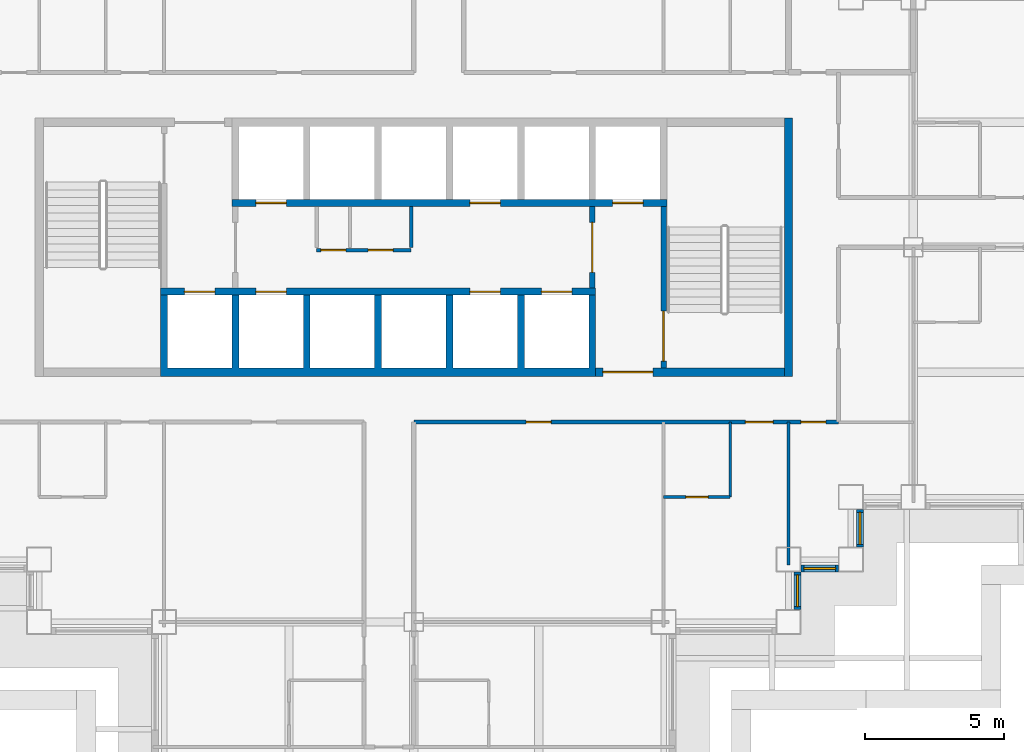
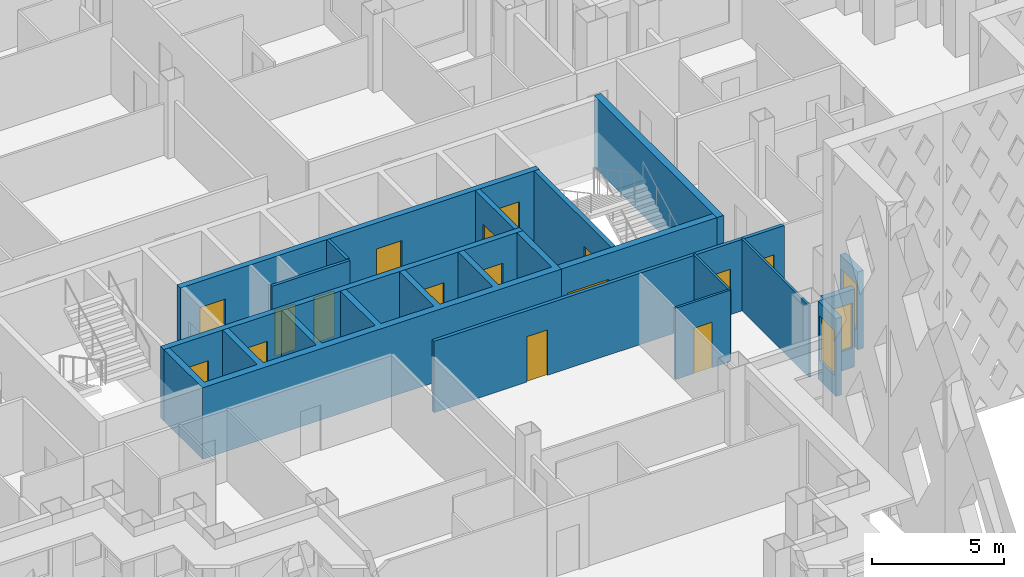
# One storey, part 5 of 21: 16 doors, 16 walls, 3 windows, 19 openings.
"""IFC4 building model written with IfcOpenShell, lengths in metres."""

import ifcopenshell
import ifcopenshell.guid

model = None  # the IFC model being written
_history = None  # IfcOwnerHistory: only IFC2X3 demands one
_inside = {}  # id of a spatial element -> (the spatial element, [elements in it])
_under = {}  # id of a project, library or spatial element -> (it, [spatial elements below it])
_declared = {}  # id of a project -> (the project, [libraries it declares])
_typed = {}  # id of a type object -> (the type object, [elements of that type])
_made_of = {}  # id of a material, layer set ... -> (it, [elements and type objects made of it])


def new_model(schema):
    """Start an empty IFC model of exactly this schema.

    Asked for "IFC4X3", IfcOpenShell would pick the latest addendum, in which some entities
    have other attributes; the version numbers below select the first issue.
    IFC2X3 requires an IfcOwnerHistory on every rooted entity: one is made here for all.
    """
    global model, _history
    if schema == "IFC4X3":
        model = ifcopenshell.file(schema_version=(4, 3, 0, 0))
    else:
        model = ifcopenshell.file(schema=schema)
    _inside.clear()
    _under.clear()
    _declared.clear()
    _typed.clear()
    _made_of.clear()
    _history = None
    if model.schema == "IFC2X3":
        org = make("IfcOrganization", Name="unknown")
        user = make(
            "IfcPersonAndOrganization",
            ThePerson=make("IfcPerson", FamilyName="unknown"),
            TheOrganization=org,
        )
        app = make(
            "IfcApplication",
            ApplicationDeveloper=org,
            Version="unknown",
            ApplicationFullName="unknown",
            ApplicationIdentifier="unknown",
        )
        _history = make(
            "IfcOwnerHistory",
            OwningUser=user,
            OwningApplication=app,
            ChangeAction="ADDED",
            CreationDate=0,
        )
    return model


def make(cls, **values):
    """One entity of the class cls with the attributes given. An attribute that is None is left unset."""
    return model.create_entity(
        cls, **{name: value for name, value in values.items() if value is not None}
    )


def rooted(cls, **values):
    """An entity with a GlobalId (a new one), such as an element, a storey or a relation."""
    return make(cls, GlobalId=ifcopenshell.guid.new(), OwnerHistory=_history, **values)


def si_unit(unit_type, name, prefix=None):
    """IfcSIUnit, for example si_unit("LENGTHUNIT", "METRE", prefix="MILLI")."""
    return make("IfcSIUnit", UnitType=unit_type, Prefix=prefix, Name=name)


def assignment(units):
    """IfcUnitAssignment: the units of a project."""
    return None if units is None else make("IfcUnitAssignment", Units=units)


def point(xyz):
    """IfcCartesianPoint."""
    return None if xyz is None else make("IfcCartesianPoint", Coordinates=xyz)


def direction(xyz):
    """IfcDirection."""
    return None if xyz is None else make("IfcDirection", DirectionRatios=xyz)


def frame(location, z_axis=None, x_axis=None):
    """IfcAxis2Placement3D, a coordinate frame: its origin and axes. An axis left out is left unset."""
    return make(
        "IfcAxis2Placement3D",
        Location=point(location),
        Axis=direction(z_axis),
        RefDirection=direction(x_axis),
    )


def frame_2d(location, x_axis=None):
    """IfcAxis2Placement2D, a coordinate frame in the plane: its origin and x axis."""
    return make(
        "IfcAxis2Placement2D", Location=point(location), RefDirection=direction(x_axis)
    )


def origin():
    """The frame at (0, 0, 0) with its axes left unset."""
    return frame((0.0, 0.0, 0.0))


def place(relative_to, where):
    """IfcLocalPlacement: puts the frame where relative to a parent placement (None: the world)."""
    return make(
        "IfcLocalPlacement", PlacementRelTo=relative_to, RelativePlacement=where
    )


def context(
    kind, dimensions, precision=None, world=None, true_north=None, identifier=None
):
    """IfcGeometricRepresentationContext, for example the 3D "Model" context."""
    return make(
        "IfcGeometricRepresentationContext",
        ContextIdentifier=identifier,
        ContextType=kind,
        CoordinateSpaceDimension=dimensions,
        Precision=precision,
        WorldCoordinateSystem=world,
        TrueNorth=true_north,
    )


def subcontext(parent, identifier, kind, view, scale=None):
    """IfcGeometricRepresentationSubContext, for example "Body" below "Model"."""
    return make(
        "IfcGeometricRepresentationSubContext",
        ContextIdentifier=identifier,
        ContextType=kind,
        ParentContext=parent,
        TargetScale=scale,
        TargetView=view,
    )


def project(units=None, contexts=None):
    """IfcProject with its units and contexts."""
    return rooted(
        "IfcProject",
        Name="project",
        RepresentationContexts=contexts,
        UnitsInContext=assignment(units),
    )


def spatial(cls, under=None, at=None, **own):
    """A site, building, storey or space (cls), placed at a placement, below another one or the project."""
    s = rooted(cls, ObjectPlacement=at, **own)
    if under is not None:
        _under.setdefault(under.id(), (under, []))[1].append(s)
    return s


def polyline(points):
    """IfcPolyline through the points."""
    return make("IfcPolyline", Points=[point(p) for p in points])


def profile(cls, at=None, kind="AREA", **sizes):
    """A parametric profile (cls). Its sizes go by their IFC names, for example OverallWidth=200.0."""
    return make(cls, ProfileType=kind, Position=at, **sizes)


def rectangle(**sizes):
    """IfcRectangleProfileDef."""
    return profile("IfcRectangleProfileDef", **sizes)


def outline(outer, holes=None, kind="AREA"):
    """IfcArbitraryClosedProfileDef: a profile drawn as a closed curve; with holes, ...WithVoids."""
    if holes is None:
        return make("IfcArbitraryClosedProfileDef", ProfileType=kind, OuterCurve=outer)
    return make(
        "IfcArbitraryProfileDefWithVoids",
        ProfileType=kind,
        OuterCurve=outer,
        InnerCurves=holes,
    )


def extrude(swept, where, along, depth):
    """IfcExtrudedAreaSolid: the profile swept, set in the frame where, extruded along a direction by depth."""
    return make(
        "IfcExtrudedAreaSolid",
        SweptArea=swept,
        Position=where,
        ExtrudedDirection=direction(along),
        Depth=depth,
    )


def shape(context_of_items, identifier, shape_type, items):
    """IfcShapeRepresentation: the items that make up one representation, for example the "Body"."""
    return make(
        "IfcShapeRepresentation",
        ContextOfItems=context_of_items,
        RepresentationIdentifier=identifier,
        RepresentationType=shape_type,
        Items=items,
    )


def material(Name=None, Category=None):
    """IfcMaterial."""
    return make("IfcMaterial", Name=Name, Category=Category)


def layer(
    of_material, thickness, ventilated=None, Name=None, Category=None, Priority=None
):
    """IfcMaterialLayer: one layer of a wall or slab, of a material (None: an air gap)."""
    return make(
        "IfcMaterialLayer",
        Material=of_material,
        LayerThickness=thickness,
        IsVentilated=ventilated,
        Name=Name,
        Category=Category,
        Priority=Priority,
    )


def layer_set(layers, Name=None):
    """IfcMaterialLayerSet."""
    return make("IfcMaterialLayerSet", MaterialLayers=layers, LayerSetName=Name)


def made_of(thing, what):
    """Note that an element or type object is made of a material, layer set ...; save() writes the relation."""
    if what is not None:
        _made_of.setdefault(what.id(), (what, []))[1].append(thing)
    return thing


def type_object(cls, material=None, **own):
    """A type object (cls), such as IfcWallType, which elements share."""
    return made_of(rooted(cls, **own), material)


def element(
    cls,
    number,
    at=None,
    inside=None,
    cuts=None,
    type_object=None,
    material=None,
    context=None,
    identifier="Body",
    shape_type=None,
    held_by="IfcProductDefinitionShape",
    body=None,
    shapes=None,
    **own,
):
    """One element of the class cls, such as IfcWall. Its Tag is "e" and its number.

    at: its placement. inside: the storey or other place that contains it. cuts: it is an
    opening in that element (IfcRelVoidsElement). A single representation is given by context,
    identifier, shape_type and body (its items); several are given by shapes. held_by: the class
    of the entity that holds the representations. save() writes the other relations.
    """
    e = rooted(cls, Tag="e%d" % number, ObjectPlacement=at, **own)
    if body is not None:
        shapes = [shape(context, identifier, shape_type, body)]
    if shapes is not None:
        e.Representation = make(held_by, Representations=shapes)
    if inside is not None:
        _inside.setdefault(inside.id(), (inside, []))[1].append(e)
    if cuts is not None:
        rooted(
            "IfcRelVoidsElement", RelatingBuildingElement=cuts, RelatedOpeningElement=e
        )
    if type_object is not None:
        _typed.setdefault(type_object.id(), (type_object, []))[1].append(e)
    return made_of(e, material)


def fill(opening, filler):
    """IfcRelFillsElement: the door or window that sits in an opening."""
    return rooted(
        "IfcRelFillsElement",
        RelatingOpeningElement=opening,
        RelatedBuildingElement=filler,
    )


def aggregate(whole, parts):
    """IfcRelAggregates: a whole, such as a stair, and the parts it consists of."""
    return rooted("IfcRelAggregates", RelatingObject=whole, RelatedObjects=parts)


def save(model, path):
    """Write the relations noted so far, then the file.

    IfcRelAggregates (storeys below a building ...), IfcRelContainedInSpatialStructure (elements
    in a storey), IfcRelDefinesByType, IfcRelAssociatesMaterial and IfcRelDeclares: one each for
    every whole, place, type object, material and project.
    """
    for whole, parts in _under.values():
        aggregate(whole, parts)
    for where, things in _inside.values():
        rooted(
            "IfcRelContainedInSpatialStructure",
            RelatedElements=things,
            RelatingStructure=where,
        )
    for kind, things in _typed.values():
        rooted("IfcRelDefinesByType", RelatedObjects=things, RelatingType=kind)
    for what, things in _made_of.values():
        rooted("IfcRelAssociatesMaterial", RelatedObjects=things, RelatingMaterial=what)
    for by, libraries in _declared.values():
        rooted("IfcRelDeclares", RelatingContext=by, RelatedDefinitions=libraries)
    model.write(path)


model = new_model("IFC4")

# Units and contexts
model_context = context("Model", 3, precision=1e-05, world=origin(), true_north=direction((0.0, 1.0)))
body_context = subcontext(model_context, "Body", "Model", "MODEL_VIEW")
ifc_project = project(units=[si_unit("LENGTHUNIT", "METRE"), si_unit("AREAUNIT", "SQUARE_METRE"), si_unit("VOLUMEUNIT", "CUBIC_METRE"), si_unit("PLANEANGLEUNIT", "RADIAN"), si_unit("MASSUNIT", "GRAM", prefix="KILO")], contexts=[model_context])

# Site, building, storey
site_placement = place(None, origin())
site = spatial("IfcSite", under=ifc_project, at=site_placement, CompositionType="ELEMENT")
building_placement = place(site_placement, origin())
building = spatial("IfcBuilding", under=site, at=building_placement, Name="Caravel Reach Hotel and Residences", CompositionType="ELEMENT")
storey_placement = place(building_placement, frame((0.0, 0.0, 115.199951171875)))
storey = spatial("IfcBuildingStorey", under=building, at=storey_placement, Name="L28", CompositionType="ELEMENT", Elevation=115.199951171875)

# Wall, opening, door
ifc_material_1 = material(Name="Gypsum board on steel stud", Category="steel")
ifc_layer_1 = layer(ifc_material_1, 0.10009765625)
ifc_layer_set_1 = layer_set([ifc_layer_1], Name="Bathroom pod wall 100 mm")
wall_type_1 = type_object("IfcWallType", Name="Bathroom pod wall 100 mm", PredefinedType="PARTITIONING", material=ifc_layer_set_1)
wall_1_placement = place(storey_placement, frame((40.5, 18.0, 0.0), z_axis=(0.0, 0.0, 1.0), x_axis=(1.0, 0.0, 0.0)))
wall_1 = element("IfcWall", 1, at=wall_1_placement, inside=storey, type_object=wall_type_1, Name="L28 wall w070", PredefinedType="PARTITIONING", context=body_context, shape_type="SweptSolid", body=[
    extrude(rectangle(XDim=2.39990234375, YDim=0.10009765625, at=frame_2d((1.199951171875, 0.0))), origin(), (0.0, 0.0, 1.0), 3.300048828125),
])
opening_1_placement = place(wall_1_placement, frame((0.800048828125, 0.0, 0.0)))
opening_1 = element("IfcOpeningElement", 2, at=opening_1_placement, cuts=wall_1, Name="Opening D28-048", PredefinedType="OPENING", context=body_context, shape_type="SweptSolid", body=[
    extrude(rectangle(XDim=0.800048828125, YDim=2.10009765625, at=frame_2d((0.39990234375, 1.050048828125))), frame((0.0, 0.06005859375, 0.0), z_axis=(0.0, -1.0, 0.0), x_axis=(1.0, 0.0, 0.0)), (0.0, 0.0, 1.0), 0.1201171875),
])
ifc_material_2 = material(Name="Timber and steel door leaf", Category="steel")
door_type_1 = type_object("IfcDoorType", Name="Bathroom door 800 x 2100", OperationType="SINGLE_SWING_LEFT", PredefinedType="DOOR", material=ifc_material_2)
door_1_placement = place(opening_1_placement, origin())
door_1 = element("IfcDoor", 3, at=door_1_placement, inside=storey, type_object=door_type_1, Name="door D28-048", OperationType="SINGLE_SWING_RIGHT", OverallHeight=2.10009765625, OverallWidth=0.800048828125, PredefinedType="DOOR", context=body_context, shape_type="SweptSolid", body=[
    extrude(rectangle(XDim=0.800048828125, YDim=2.10009765625, at=frame_2d((0.39990234375, 1.050048828125))), frame((0.0, 0.02490234375, 0.0), z_axis=(0.0, -1.0, 0.0), x_axis=(1.0, 0.0, 0.0)), (0.0, 0.0, 1.0), 0.050048828125),
])
fill(opening_1, door_1)

# Wall
wall_2_placement = place(storey_placement, frame((42.89990234375, 18.0, 0.0), z_axis=(0.0, 0.0, 1.0), x_axis=(0.0, 1.0, 0.0)))
element("IfcWall", 4, at=wall_2_placement, inside=storey, type_object=wall_type_1, Name="L28 wall w091", PredefinedType="PARTITIONING", context=body_context, shape_type="SweptSolid", body=[
    extrude(rectangle(XDim=2.699951171875, YDim=0.10009765625, at=frame_2d((1.35009765625, 0.0))), origin(), (0.0, 0.0, 1.0), 3.300048828125),
])

# Wall, opening, door
ifc_material_3 = material(Name="Concrete C60", Category="concrete")
ifc_layer_2 = layer(ifc_material_3, 0.300048828125)
ifc_layer_set_2 = layer_set([ifc_layer_2], Name="Core wall 300 mm EI 120")
wall_type_2 = type_object("IfcWallType", Name="Core wall 300 mm EI 120", PredefinedType="SHEAR", material=ifc_layer_set_2)
wall_3_placement = place(storey_placement, frame((38.053466796875, 22.5, 0.0), z_axis=(0.0, 0.0, 1.0), x_axis=(1.0, 0.0, 0.0)))
wall_3 = element("IfcWall", 5, at=wall_3_placement, inside=storey, type_object=wall_type_2, Name="L28 core wall S2", PredefinedType="SHEAR", context=body_context, shape_type="SweptSolid", body=[
    extrude(rectangle(XDim=6.796630859375, YDim=0.300048828125, at=frame_2d((3.3984375, 0.0))), origin(), (0.0, 0.0, 1.0), 3.300048828125),
])
opening_2_placement = place(wall_3_placement, frame((0.2607421875, 0.0, 0.0)))
opening_2 = element("IfcOpeningElement", 6, at=opening_2_placement, cuts=wall_3, Name="Opening D28-015", PredefinedType="OPENING", context=body_context, shape_type="SweptSolid", body=[
    extrude(rectangle(XDim=1.800048828125, YDim=2.10009765625, at=frame_2d((0.89990234375, 1.050048828125))), frame((0.0, 0.159912109375, 0.0), z_axis=(0.0, -1.0, 0.0), x_axis=(1.0, 0.0, 0.0)), (0.0, 0.0, 1.0), 0.320068359375),
])
ifc_material_4 = material(Name="Steel fire door leaf", Category="steel")
door_type_2 = type_object("IfcDoorType", Name="Fire lobby door pair 1800 x 2100 EI 90", OperationType="DOUBLE_DOOR_SINGLE_SWING", PredefinedType="DOOR", material=ifc_material_4)
door_2_placement = place(opening_2_placement, origin())
door_2 = element("IfcDoor", 7, at=door_2_placement, inside=storey, type_object=door_type_2, Name="lobby S door pair to corridor", OperationType="DOUBLE_DOOR_SINGLE_SWING", OverallHeight=2.10009765625, OverallWidth=1.800048828125, PredefinedType="DOOR", context=body_context, shape_type="SweptSolid", body=[
    extrude(rectangle(XDim=1.800048828125, YDim=2.10009765625, at=frame_2d((0.89990234375, 1.050048828125))), frame((0.0, 0.02490234375, 0.0), z_axis=(0.0, -1.0, 0.0), x_axis=(1.0, 0.0, 0.0)), (0.0, 0.0, 1.0), 0.050048828125),
])
fill(opening_2, door_2)

# Wall
wall_4_placement = place(storey_placement, frame((45.0, 22.35009765625, 0.0), z_axis=(0.0, 0.0, 1.0), x_axis=(0.0, 1.0, 0.0)))
element("IfcWall", 8, at=wall_4_placement, inside=storey, type_object=wall_type_2, Name="L28 core wall E", PredefinedType="SHEAR", context=body_context, shape_type="SweptSolid", body=[
    extrude(rectangle(XDim=9.2998046875, YDim=0.300048828125, at=frame_2d((4.64990234375, 0.0))), origin(), (0.0, 0.0, 1.0), 3.300048828125),
])

# Wall, openings, doors
ifc_material_5 = material(Name="Gypsum board on steel stud, fire-rated", Category="steel")
ifc_layer_3 = layer(ifc_material_5, 0.14990234375)
ifc_layer_set_3 = layer_set([ifc_layer_3], Name="Corridor wall 150 mm EI 60")
wall_type_3 = type_object("IfcWallType", Name="Corridor wall 150 mm EI 60", PredefinedType="PARTITIONING", material=ifc_layer_set_3)
wall_5_placement = place(storey_placement, frame((31.5, 20.699951171875, 0.0), z_axis=(0.0, 0.0, 1.0), x_axis=(1.0, 0.0, 0.0)))
wall_5 = element("IfcWall", 9, at=wall_5_placement, inside=storey, type_object=wall_type_3, Name="L28 wall w004", PredefinedType="PARTITIONING", context=body_context, shape_type="SweptSolid", body=[
    extrude(rectangle(XDim=15.300048828125, YDim=0.14990234375, at=frame_2d((7.64990234375, 0.0))), origin(), (0.0, 0.0, 1.0), 3.300048828125),
])
opening_3_placement = place(wall_5_placement, frame((11.949951171875, 0.0, 0.0)))
opening_3 = element("IfcOpeningElement", 10, at=opening_3_placement, cuts=wall_5, Name="Opening D28-047", PredefinedType="OPENING", context=body_context, shape_type="SweptSolid", body=[
    extrude(rectangle(XDim=1.0, YDim=2.10009765625, at=frame_2d((0.5, 1.050048828125))), frame((0.0, 0.0849609375, 0.0), z_axis=(0.0, -1.0, 0.0), x_axis=(1.0, 0.0, 0.0)), (0.0, 0.0, 1.0), 0.169921875),
])
opening_4_placement = place(wall_5_placement, frame((13.949951171875, 0.0, 0.0)))
opening_4 = element("IfcOpeningElement", 11, at=opening_4_placement, cuts=wall_5, Name="Opening D28-049", PredefinedType="OPENING", context=body_context, shape_type="SweptSolid", body=[
    extrude(rectangle(XDim=0.89990234375, YDim=2.10009765625, at=frame_2d((0.449951171875, 1.050048828125))), frame((0.0, 0.0849609375, 0.0), z_axis=(0.0, -1.0, 0.0), x_axis=(1.0, 0.0, 0.0)), (0.0, 0.0, 1.0), 0.169921875),
])
opening_5_placement = place(wall_5_placement, frame((4.050048828125, 0.0, 0.0)))
opening_5 = element("IfcOpeningElement", 12, at=opening_5_placement, cuts=wall_5, Name="Opening D28-053", PredefinedType="OPENING", context=body_context, shape_type="SweptSolid", body=[
    extrude(rectangle(XDim=0.89990234375, YDim=2.10009765625, at=frame_2d((0.449951171875, 1.050048828125))), frame((0.0, 0.0849609375, 0.0), z_axis=(0.0, -1.0, 0.0), x_axis=(1.0, 0.0, 0.0)), (0.0, 0.0, 1.0), 0.169921875),
])
ifc_material_6 = material(Name="Timber and steel door leaf", Category="steel")
door_type_3 = type_object("IfcDoorType", Name="Door 900 x 2100 timber", OperationType="SINGLE_SWING_LEFT", PredefinedType="DOOR", material=ifc_material_6)
door_3_placement = place(opening_4_placement, origin())
door_3 = element("IfcDoor", 13, at=door_3_placement, inside=storey, type_object=door_type_3, Name="door D28-049", OperationType="SINGLE_SWING_LEFT", OverallHeight=2.10009765625, OverallWidth=0.89990234375, PredefinedType="DOOR", context=body_context, shape_type="SweptSolid", body=[
    extrude(rectangle(XDim=0.89990234375, YDim=2.10009765625, at=frame_2d((0.449951171875, 1.050048828125))), frame((0.0, 0.02490234375, 0.0), z_axis=(0.0, -1.0, 0.0), x_axis=(1.0, 0.0, 0.0)), (0.0, 0.0, 1.0), 0.050048828125),
])
fill(opening_4, door_3)
door_4_placement = place(opening_5_placement, origin())
door_4 = element("IfcDoor", 14, at=door_4_placement, inside=storey, type_object=door_type_3, Name="door D28-053", OperationType="SINGLE_SWING_LEFT", OverallHeight=2.10009765625, OverallWidth=0.89990234375, PredefinedType="DOOR", context=body_context, shape_type="SweptSolid", body=[
    extrude(rectangle(XDim=0.89990234375, YDim=2.10009765625, at=frame_2d((0.449951171875, 1.050048828125))), frame((0.0, 0.02490234375, 0.0), z_axis=(0.0, -1.0, 0.0), x_axis=(1.0, 0.0, 0.0)), (0.0, 0.0, 1.0), 0.050048828125),
])
fill(opening_5, door_4)
ifc_material_7 = material(Name="Steel fire door leaf", Category="steel")
door_type_4 = type_object("IfcDoorType", Name="Guest room door 1000 x 2100 EI 30", OperationType="SINGLE_SWING_LEFT", PredefinedType="DOOR", material=ifc_material_7)
door_5_placement = place(opening_3_placement, origin())
door_5 = element("IfcDoor", 15, at=door_5_placement, inside=storey, type_object=door_type_4, Name="door D28-047", OperationType="SINGLE_SWING_RIGHT", OverallHeight=2.10009765625, OverallWidth=1.0, PredefinedType="DOOR", context=body_context, shape_type="SweptSolid", body=[
    extrude(rectangle(XDim=1.0, YDim=2.10009765625, at=frame_2d((0.5, 1.050048828125))), frame((0.0, 0.02490234375, 0.0), z_axis=(0.0, -1.0, 0.0), x_axis=(1.0, 0.0, 0.0)), (0.0, 0.0, 1.0), 0.050048828125),
])
fill(opening_3, door_5)

# Wall, opening, window
ifc_material_8 = material(Name="Insulated rainscreen wall, aluminium cladding", Category="aluminium")
ifc_layer_4 = layer(ifc_material_8, 0.25)
ifc_layer_set_4 = layer_set([ifc_layer_4], Name="EW1 Tower rainscreen wall")
wall_type_4 = type_object("IfcWallType", Name="EW1 Tower rainscreen wall", PredefinedType="SOLIDWALL", material=ifc_layer_set_4)
wall_6_placement = place(storey_placement, frame((45.324951171875, 13.949951171875, 0.0), z_axis=(0.0, 0.0, 1.0), x_axis=(0.0, 1.0, 0.0)))
wall_6 = element("IfcWall", 16, at=wall_6_placement, inside=storey, type_object=wall_type_4, Name="External wall L28 E12.1", PredefinedType="SOLIDWALL", context=body_context, shape_type="SweptSolid", body=[
    extrude(rectangle(XDim=1.35009765625, YDim=0.25, at=frame_2d((0.675048828125, 0.0))), origin(), (0.0, 0.0, 1.0), 3.60009765625),
])
opening_6_placement = place(wall_6_placement, frame((0.10009765625, 0.0, 0.89990234375)))
opening_6 = element("IfcOpeningElement", 17, at=opening_6_placement, cuts=wall_6, Name="Opening WN8", PredefinedType="OPENING", context=body_context, shape_type="SweptSolid", body=[
    extrude(rectangle(XDim=1.14990234375, YDim=2.080078125, at=frame_2d((0.574951171875, 1.0400390625))), frame((0.0, 0.135009765625, 0.0), z_axis=(0.0, -1.0, 0.0), x_axis=(1.0, 0.0, 0.0)), (0.0, 0.0, 1.0), 0.27001953125),
])
ifc_material_9 = material(Name="Dark low-e glazing in black aluminium frame", Category="aluminium")
window_type = type_object("IfcWindowType", Name="Hotel suite corner window 1150 x 2080", PartitioningType="SINGLE_PANEL", PredefinedType="WINDOW", material=ifc_material_9)
window_1_placement = place(opening_6_placement, origin())
window_1 = element("IfcWindow", 18, at=window_1_placement, inside=storey, type_object=window_type, Name="Window L28 E12.1.1", OverallHeight=2.080078125, OverallWidth=1.14990234375, PartitioningType="SINGLE_PANEL", PredefinedType="WINDOW", context=body_context, shape_type="SweptSolid", body=[
    extrude(rectangle(XDim=1.14990234375, YDim=2.080078125, at=frame_2d((0.574951171875, 1.0400390625))), frame((0.0, 0.030029296875, 0.0), z_axis=(0.0, -1.0, 0.0), x_axis=(1.0, 0.0, 0.0)), (0.0, 0.0, 1.0), 0.06005859375),
])
fill(opening_6, window_1)

wall_7_placement = place(storey_placement, frame((45.449951171875, 15.425048828125, 0.0), z_axis=(0.0, 0.0, 1.0), x_axis=(1.0, 0.0, 0.0)))
wall_7 = element("IfcWall", 19, at=wall_7_placement, inside=storey, type_object=wall_type_4, Name="External wall L28 S13.1", PredefinedType="SOLIDWALL", context=body_context, shape_type="SweptSolid", body=[
    extrude(rectangle(XDim=1.35009765625, YDim=0.25, at=frame_2d((0.675048828125, 0.0))), origin(), (0.0, 0.0, 1.0), 3.60009765625),
])
opening_7_placement = place(wall_7_placement, frame((0.10009765625, 0.0, 0.89990234375)))
opening_7 = element("IfcOpeningElement", 20, at=opening_7_placement, cuts=wall_7, Name="Opening WN8", PredefinedType="OPENING", context=body_context, shape_type="SweptSolid", body=[
    extrude(rectangle(XDim=1.14990234375, YDim=2.080078125, at=frame_2d((0.574951171875, 1.0400390625))), frame((0.0, 0.135009765625, 0.0), z_axis=(0.0, -1.0, 0.0), x_axis=(1.0, 0.0, 0.0)), (0.0, 0.0, 1.0), 0.27001953125),
])
window_2_placement = place(opening_7_placement, origin())
window_2 = element("IfcWindow", 21, at=window_2_placement, inside=storey, type_object=window_type, Name="Window L28 S13.1.1", OverallHeight=2.080078125, OverallWidth=1.14990234375, PartitioningType="SINGLE_PANEL", PredefinedType="WINDOW", context=body_context, shape_type="SweptSolid", body=[
    extrude(rectangle(XDim=1.14990234375, YDim=2.080078125, at=frame_2d((0.574951171875, 1.0400390625))), frame((0.0, 0.030029296875, 0.0), z_axis=(0.0, -1.0, 0.0), x_axis=(1.0, 0.0, 0.0)), (0.0, 0.0, 1.0), 0.06005859375),
])
fill(opening_7, window_2)

wall_8_placement = place(storey_placement, frame((47.574951171875, 16.199951171875, 0.0), z_axis=(0.0, 0.0, 1.0), x_axis=(0.0, 1.0, 0.0)))
wall_8 = element("IfcWall", 22, at=wall_8_placement, inside=storey, type_object=wall_type_4, Name="External wall L28 E14.1", PredefinedType="SOLIDWALL", context=body_context, shape_type="SweptSolid", body=[
    extrude(rectangle(XDim=1.35009765625, YDim=0.25, at=frame_2d((0.675048828125, 0.0))), origin(), (0.0, 0.0, 1.0), 3.60009765625),
])
opening_8_placement = place(wall_8_placement, frame((0.10009765625, 0.0, 0.89990234375)))
opening_8 = element("IfcOpeningElement", 23, at=opening_8_placement, cuts=wall_8, Name="Opening WN8", PredefinedType="OPENING", context=body_context, shape_type="SweptSolid", body=[
    extrude(rectangle(XDim=1.14990234375, YDim=2.080078125, at=frame_2d((0.574951171875, 1.0400390625))), frame((0.0, 0.135009765625, 0.0), z_axis=(0.0, -1.0, 0.0), x_axis=(1.0, 0.0, 0.0)), (0.0, 0.0, 1.0), 0.27001953125),
])
window_3_placement = place(opening_8_placement, origin())
window_3 = element("IfcWindow", 24, at=window_3_placement, inside=storey, type_object=window_type, Name="Window L28 E14.1.1", OverallHeight=2.080078125, OverallWidth=1.14990234375, PartitioningType="SINGLE_PANEL", PredefinedType="WINDOW", context=body_context, shape_type="SweptSolid", body=[
    extrude(rectangle(XDim=1.14990234375, YDim=2.080078125, at=frame_2d((0.574951171875, 1.0400390625))), frame((0.0, 0.030029296875, 0.0), z_axis=(0.0, -1.0, 0.0), x_axis=(1.0, 0.0, 0.0)), (0.0, 0.0, 1.0), 0.06005859375),
])
fill(opening_8, window_3)

# Wall, opening, door
ifc_material_10 = material(Name="Autoclaved aerated block wall")
ifc_layer_5 = layer(ifc_material_10, 0.199951171875)
ifc_layer_set_5 = layer_set([ifc_layer_5], Name="Fire lobby wall 200 mm EI 120")
wall_type_5 = type_object("IfcWallType", Name="Fire lobby wall 200 mm EI 120", PredefinedType="PARTITIONING", material=ifc_layer_set_5)
wall_9_placement = place(storey_placement, frame((37.928466796875, 25.52490234375, 0.0), z_axis=(0.0, 0.0, 1.0), x_axis=(0.0, 1.0, 0.0)))
wall_9 = element("IfcWall", 25, at=wall_9_placement, inside=storey, type_object=wall_type_5, Name="L28 lobby E wall", PredefinedType="PARTITIONING", context=body_context, shape_type="SweptSolid", body=[
    extrude(rectangle(XDim=2.9501953125, YDim=0.199951171875, at=frame_2d((1.47509765625, 0.0))), origin(), (0.0, 0.0, 1.0), 3.300048828125),
])
opening_9_placement = place(wall_9_placement, frame((0.574951171875, 0.0, 0.0)))
opening_9 = element("IfcOpeningElement", 26, at=opening_9_placement, cuts=wall_9, Name="Opening D28-013", PredefinedType="OPENING", context=body_context, shape_type="SweptSolid", body=[
    extrude(rectangle(XDim=1.800048828125, YDim=2.10009765625, at=frame_2d((0.89990234375, 1.050048828125))), frame((0.0, 0.10986328125, 0.0), z_axis=(0.0, -1.0, 0.0), x_axis=(1.0, 0.0, 0.0)), (0.0, 0.0, 1.0), 0.219970703125),
])
door_6_placement = place(opening_9_placement, origin())
door_6 = element("IfcDoor", 27, at=door_6_placement, inside=storey, type_object=door_type_2, Name="lobby E door pair", OperationType="DOUBLE_DOOR_SINGLE_SWING", OverallHeight=2.10009765625, OverallWidth=1.800048828125, PredefinedType="DOOR", context=body_context, shape_type="SweptSolid", body=[
    extrude(rectangle(XDim=1.800048828125, YDim=2.10009765625, at=frame_2d((0.89990234375, 1.050048828125))), frame((0.0, 0.02490234375, 0.0), z_axis=(0.0, -1.0, 0.0), x_axis=(1.0, 0.0, 0.0)), (0.0, 0.0, 1.0), 0.050048828125),
])
fill(opening_9, door_6)

# Wall
ifc_material_11 = material(Name="Gypsum board on steel stud", Category="steel")
ifc_layer_6 = layer(ifc_material_11, 0.10009765625)
ifc_layer_set_6 = layer_set([ifc_layer_6], Name="Partition 100 mm")
wall_type_6 = type_object("IfcWallType", Name="Partition 100 mm", PredefinedType="PARTITIONING", material=ifc_layer_set_6)
wall_10_placement = place(storey_placement, frame((45.0, 15.56005859375, 0.0), z_axis=(0.0, 0.0, 1.0), x_axis=(0.0, 1.0, 0.0)))
element("IfcWall", 28, at=wall_10_placement, inside=storey, type_object=wall_type_6, Name="L28 wall w057", PredefinedType="PARTITIONING", context=body_context, shape_type="SweptSolid", body=[
    extrude(rectangle(XDim=5.139892578125, YDim=0.10009765625, at=frame_2d((2.56982421875, 0.0))), origin(), (0.0, 0.0, 1.0), 3.300048828125),
])

# Wall, openings, doors
ifc_material_12 = material(Name="Autoclaved aerated block wall")
ifc_layer_7 = layer(ifc_material_12, 0.125)
ifc_layer_set_7 = layer_set([ifc_layer_7], Name="Riser wall 125 mm EI 60")
wall_type_7 = type_object("IfcWallType", Name="Riser wall 125 mm EI 60", PredefinedType="PARTITIONING", material=ifc_layer_set_7)
wall_11_placement = place(storey_placement, frame((28.0, 26.89990234375, 0.0), z_axis=(0.0, 0.0, 1.0), x_axis=(1.0, 0.0, 0.0)))
wall_11 = element("IfcWall", 29, at=wall_11_placement, inside=storey, type_object=wall_type_7, Name="L28 service room wall N1", PredefinedType="PARTITIONING", context=body_context, shape_type="SweptSolid", body=[
    extrude(rectangle(XDim=3.39990234375, YDim=0.125, at=frame_2d((1.699951171875, 0.0))), origin(), (0.0, 0.0, 1.0), 3.300048828125),
])
opening_10_placement = place(wall_11_placement, frame((0.14990234375, 0.0, 0.0)))
opening_10 = element("IfcOpeningElement", 30, at=opening_10_placement, cuts=wall_11, Name="Opening D28-008", PredefinedType="OPENING", context=body_context, shape_type="SweptSolid", body=[
    extrude(rectangle(XDim=0.89990234375, YDim=2.10009765625, at=frame_2d((0.449951171875, 1.050048828125))), frame((0.0, 0.072509765625, 0.0), z_axis=(0.0, -1.0, 0.0), x_axis=(1.0, 0.0, 0.0)), (0.0, 0.0, 1.0), 0.14501953125),
])
opening_11_placement = place(wall_11_placement, frame((1.85009765625, 0.0, 0.0)))
opening_11 = element("IfcOpeningElement", 31, at=opening_11_placement, cuts=wall_11, Name="Opening D28-009", PredefinedType="OPENING", context=body_context, shape_type="SweptSolid", body=[
    extrude(rectangle(XDim=0.89990234375, YDim=2.10009765625, at=frame_2d((0.449951171875, 1.050048828125))), frame((0.0, 0.072509765625, 0.0), z_axis=(0.0, -1.0, 0.0), x_axis=(1.0, 0.0, 0.0)), (0.0, 0.0, 1.0), 0.14501953125),
])
ifc_material_13 = material(Name="Steel fire door leaf", Category="steel")
door_type_5 = type_object("IfcDoorType", Name="Riser door 900 x 2100 EI 60", OperationType="SINGLE_SWING_LEFT", PredefinedType="DOOR", material=ifc_material_13)
door_7_placement = place(opening_10_placement, origin())
door_7 = element("IfcDoor", 32, at=door_7_placement, inside=storey, type_object=door_type_5, Name="Staff store door", OperationType="SINGLE_SWING_LEFT", OverallHeight=2.10009765625, OverallWidth=0.89990234375, PredefinedType="DOOR", context=body_context, shape_type="SweptSolid", body=[
    extrude(rectangle(XDim=0.89990234375, YDim=2.10009765625, at=frame_2d((0.449951171875, 1.050048828125))), frame((0.0, 0.02490234375, 0.0), z_axis=(0.0, -1.0, 0.0), x_axis=(1.0, 0.0, 0.0)), (0.0, 0.0, 1.0), 0.050048828125),
])
fill(opening_10, door_7)
door_8_placement = place(opening_11_placement, origin())
door_8 = element("IfcDoor", 33, at=door_8_placement, inside=storey, type_object=door_type_5, Name="Executive lounge pantry door", OperationType="SINGLE_SWING_LEFT", OverallHeight=2.10009765625, OverallWidth=0.89990234375, PredefinedType="DOOR", context=body_context, shape_type="SweptSolid", body=[
    extrude(rectangle(XDim=0.89990234375, YDim=2.10009765625, at=frame_2d((0.449951171875, 1.050048828125))), frame((0.0, 0.02490234375, 0.0), z_axis=(0.0, -1.0, 0.0), x_axis=(1.0, 0.0, 0.0)), (0.0, 0.0, 1.0), 0.050048828125),
])
fill(opening_11, door_8)

# Walls
wall_12_placement = place(storey_placement, frame((31.39990234375, 28.47509765625, 0.0), z_axis=(0.0, 0.0, 1.0), x_axis=(0.0, -1.0, 0.0)))
element("IfcWall", 34, at=wall_12_placement, inside=storey, type_object=wall_type_7, Name="L28 service room partition N1", PredefinedType="PARTITIONING", context=body_context, shape_type="SweptSolid", body=[
    extrude(rectangle(XDim=1.47509765625, YDim=0.125, at=frame_2d((0.737548828125, 0.0))), origin(), (0.0, 0.0, 1.0), 3.300048828125),
])
ifc_material_14 = material(Name="Concrete C60", Category="concrete")
ifc_layer_8 = layer(ifc_material_14, 0.25)
ifc_layer_set_8 = layer_set([ifc_layer_8], Name="Shaft wall 250 mm EI 120")
wall_type_8 = type_object("IfcWallType", Name="Shaft wall 250 mm EI 120", PredefinedType="SHEAR", material=ifc_layer_set_8)
wall_13_placement = place(storey_placement, origin())
element("IfcWall", 35, at=wall_13_placement, inside=storey, type_object=wall_type_8, Name="L28 lift shaft wall S1", PredefinedType="SHEAR", context=body_context, shape_type="SweptSolid", body=[
    extrude(outline(polyline([(22.375, 22.35009765625), (38.053466796875, 22.35009765625), (38.053466796875, 25.27490234375), (37.803466796875, 25.27490234375), (37.803466796875, 22.64990234375), (35.482177734375, 22.64990234375), (35.482177734375, 25.27490234375), (35.232177734375, 25.27490234375), (35.232177734375, 22.64990234375), (32.91064453125, 22.64990234375), (32.91064453125, 25.27490234375), (32.66064453125, 25.27490234375), (32.66064453125, 22.64990234375), (30.33935546875, 22.64990234375), (30.33935546875, 25.27490234375), (30.08935546875, 25.27490234375), (30.08935546875, 22.64990234375), (27.767822265625, 22.64990234375), (27.767822265625, 25.27490234375), (27.517822265625, 25.27490234375), (27.517822265625, 22.64990234375), (25.196533203125, 22.64990234375), (25.196533203125, 25.27490234375), (24.946533203125, 25.27490234375), (24.946533203125, 22.64990234375), (22.625, 22.64990234375), (22.625, 25.27490234375), (22.375, 25.27490234375), (22.375, 22.35009765625)])), origin(), (0.0, 0.0, 1.0), 3.300048828125),
])

# Wall, openings, doors
wall_14_placement = place(storey_placement, frame((22.375, 25.39990234375, 0.0), z_axis=(0.0, 0.0, 1.0), x_axis=(1.0, 0.0, 0.0)))
wall_14 = element("IfcWall", 36, at=wall_14_placement, inside=storey, type_object=wall_type_8, Name="L28 lobby wall S1", PredefinedType="SHEAR", context=body_context, shape_type="SweptSolid", body=[
    extrude(rectangle(XDim=15.678466796875, YDim=0.25, at=frame_2d((7.83935546875, 0.0))), origin(), (0.0, 0.0, 1.0), 3.300048828125),
])
opening_12_placement = place(wall_14_placement, frame((3.43212890625, 0.0, 0.0)))
opening_12 = element("IfcOpeningElement", 37, at=opening_12_placement, cuts=wall_14, Name="Opening D28-001", PredefinedType="OPENING", context=body_context, shape_type="SweptSolid", body=[
    extrude(rectangle(XDim=1.10009765625, YDim=2.10009765625, at=frame_2d((0.550048828125, 1.050048828125))), frame((0.0, 0.135009765625, 0.0), z_axis=(0.0, -1.0, 0.0), x_axis=(1.0, 0.0, 0.0)), (0.0, 0.0, 1.0), 0.27001953125),
])
opening_13_placement = place(wall_14_placement, frame((11.146484375, 0.0, 0.0)))
opening_13 = element("IfcOpeningElement", 38, at=opening_13_placement, cuts=wall_14, Name="Opening D28-002", PredefinedType="OPENING", context=body_context, shape_type="SweptSolid", body=[
    extrude(rectangle(XDim=1.10009765625, YDim=2.10009765625, at=frame_2d((0.550048828125, 1.050048828125))), frame((0.0, 0.135009765625, 0.0), z_axis=(0.0, -1.0, 0.0), x_axis=(1.0, 0.0, 0.0)), (0.0, 0.0, 1.0), 0.27001953125),
])
opening_14_placement = place(wall_14_placement, frame((13.718017578125, 0.0, 0.0)))
opening_14 = element("IfcOpeningElement", 39, at=opening_14_placement, cuts=wall_14, Name="Opening D28-003", PredefinedType="OPENING", context=body_context, shape_type="SweptSolid", body=[
    extrude(rectangle(XDim=1.10009765625, YDim=2.10009765625, at=frame_2d((0.550048828125, 1.050048828125))), frame((0.0, 0.135009765625, 0.0), z_axis=(0.0, -1.0, 0.0), x_axis=(1.0, 0.0, 0.0)), (0.0, 0.0, 1.0), 0.27001953125),
])
opening_15_placement = place(wall_14_placement, frame((0.860595703125, 0.0, 0.0)))
opening_15 = element("IfcOpeningElement", 40, at=opening_15_placement, cuts=wall_14, Name="Opening D28-006", PredefinedType="OPENING", context=body_context, shape_type="SweptSolid", body=[
    extrude(rectangle(XDim=1.10009765625, YDim=2.10009765625, at=frame_2d((0.550048828125, 1.050048828125))), frame((0.0, 0.135009765625, 0.0), z_axis=(0.0, -1.0, 0.0), x_axis=(1.0, 0.0, 0.0)), (0.0, 0.0, 1.0), 0.27001953125),
])
ifc_material_15 = material(Name="Stainless steel landing door", Category="steel")
door_type_6 = type_object("IfcDoorType", Name="Landing door LD 1100 x 2100 sliding", OperationType="DOUBLE_DOOR_SLIDING", PredefinedType="DOOR", material=ifc_material_15)
door_9_placement = place(opening_12_placement, origin())
door_9 = element("IfcDoor", 41, at=door_9_placement, inside=storey, type_object=door_type_6, Name="LP1 landing door", OperationType="DOUBLE_DOOR_SLIDING", OverallHeight=2.10009765625, OverallWidth=1.10009765625, PredefinedType="DOOR", context=body_context, shape_type="SweptSolid", body=[
    extrude(rectangle(XDim=1.10009765625, YDim=2.10009765625, at=frame_2d((0.550048828125, 1.050048828125))), frame((0.0, 0.02490234375, 0.0), z_axis=(0.0, -1.0, 0.0), x_axis=(1.0, 0.0, 0.0)), (0.0, 0.0, 1.0), 0.050048828125),
])
fill(opening_12, door_9)
door_10_placement = place(opening_13_placement, origin())
door_10 = element("IfcDoor", 42, at=door_10_placement, inside=storey, type_object=door_type_6, Name="LP2 landing door", OperationType="DOUBLE_DOOR_SLIDING", OverallHeight=2.10009765625, OverallWidth=1.10009765625, PredefinedType="DOOR", context=body_context, shape_type="SweptSolid", body=[
    extrude(rectangle(XDim=1.10009765625, YDim=2.10009765625, at=frame_2d((0.550048828125, 1.050048828125))), frame((0.0, 0.02490234375, 0.0), z_axis=(0.0, -1.0, 0.0), x_axis=(1.0, 0.0, 0.0)), (0.0, 0.0, 1.0), 0.050048828125),
])
fill(opening_13, door_10)
door_11_placement = place(opening_14_placement, origin())
door_11 = element("IfcDoor", 43, at=door_11_placement, inside=storey, type_object=door_type_6, Name="LP3 landing door", OperationType="DOUBLE_DOOR_SLIDING", OverallHeight=2.10009765625, OverallWidth=1.10009765625, PredefinedType="DOOR", context=body_context, shape_type="SweptSolid", body=[
    extrude(rectangle(XDim=1.10009765625, YDim=2.10009765625, at=frame_2d((0.550048828125, 1.050048828125))), frame((0.0, 0.02490234375, 0.0), z_axis=(0.0, -1.0, 0.0), x_axis=(1.0, 0.0, 0.0)), (0.0, 0.0, 1.0), 0.050048828125),
])
fill(opening_14, door_11)
door_12_placement = place(opening_15_placement, origin())
door_12 = element("IfcDoor", 44, at=door_12_placement, inside=storey, type_object=door_type_6, Name="FL1 landing door", OperationType="DOUBLE_DOOR_SLIDING", OverallHeight=2.10009765625, OverallWidth=1.10009765625, PredefinedType="DOOR", context=body_context, shape_type="SweptSolid", body=[
    extrude(rectangle(XDim=1.10009765625, YDim=2.10009765625, at=frame_2d((0.550048828125, 1.050048828125))), frame((0.0, 0.02490234375, 0.0), z_axis=(0.0, -1.0, 0.0), x_axis=(1.0, 0.0, 0.0)), (0.0, 0.0, 1.0), 0.050048828125),
])
fill(opening_15, door_12)

wall_15_placement = place(storey_placement, frame((24.946533203125, 28.60009765625, 0.0), z_axis=(0.0, 0.0, 1.0), x_axis=(1.0, 0.0, 0.0)))
wall_15 = element("IfcWall", 45, at=wall_15_placement, inside=storey, type_object=wall_type_8, Name="L28 lobby wall N1", PredefinedType="SHEAR", context=body_context, shape_type="SweptSolid", body=[
    extrude(rectangle(XDim=15.678466796875, YDim=0.25, at=frame_2d((7.83935546875, 0.0))), origin(), (0.0, 0.0, 1.0), 3.300048828125),
])
opening_16_placement = place(wall_15_placement, frame((0.860595703125, 0.0, 0.0)))
opening_16 = element("IfcOpeningElement", 46, at=opening_16_placement, cuts=wall_15, Name="Opening D28-004", PredefinedType="OPENING", context=body_context, shape_type="SweptSolid", body=[
    extrude(rectangle(XDim=1.10009765625, YDim=2.10009765625, at=frame_2d((0.550048828125, 1.050048828125))), frame((0.0, 0.135009765625, 0.0), z_axis=(0.0, -1.0, 0.0), x_axis=(1.0, 0.0, 0.0)), (0.0, 0.0, 1.0), 0.27001953125),
])
opening_17_placement = place(wall_15_placement, frame((8.574951171875, 0.0, 0.0)))
opening_17 = element("IfcOpeningElement", 47, at=opening_17_placement, cuts=wall_15, Name="Opening D28-005", PredefinedType="OPENING", context=body_context, shape_type="SweptSolid", body=[
    extrude(rectangle(XDim=1.10009765625, YDim=2.10009765625, at=frame_2d((0.550048828125, 1.050048828125))), frame((0.0, 0.135009765625, 0.0), z_axis=(0.0, -1.0, 0.0), x_axis=(1.0, 0.0, 0.0)), (0.0, 0.0, 1.0), 0.27001953125),
])
opening_18_placement = place(wall_15_placement, frame((13.718017578125, 0.0, 0.0)))
opening_18 = element("IfcOpeningElement", 48, at=opening_18_placement, cuts=wall_15, Name="Opening D28-007", PredefinedType="OPENING", context=body_context, shape_type="SweptSolid", body=[
    extrude(rectangle(XDim=1.10009765625, YDim=2.10009765625, at=frame_2d((0.550048828125, 1.050048828125))), frame((0.0, 0.135009765625, 0.0), z_axis=(0.0, -1.0, 0.0), x_axis=(1.0, 0.0, 0.0)), (0.0, 0.0, 1.0), 0.27001953125),
])
door_13_placement = place(opening_16_placement, origin())
door_13 = element("IfcDoor", 49, at=door_13_placement, inside=storey, type_object=door_type_6, Name="LP4 landing door", OperationType="DOUBLE_DOOR_SLIDING", OverallHeight=2.10009765625, OverallWidth=1.10009765625, PredefinedType="DOOR", context=body_context, shape_type="SweptSolid", body=[
    extrude(rectangle(XDim=1.10009765625, YDim=2.10009765625, at=frame_2d((0.550048828125, 1.050048828125))), frame((0.0, 0.02490234375, 0.0), z_axis=(0.0, -1.0, 0.0), x_axis=(1.0, 0.0, 0.0)), (0.0, 0.0, 1.0), 0.050048828125),
])
fill(opening_16, door_13)
door_14_placement = place(opening_17_placement, origin())
door_14 = element("IfcDoor", 50, at=door_14_placement, inside=storey, type_object=door_type_6, Name="LP5 landing door", OperationType="DOUBLE_DOOR_SLIDING", OverallHeight=2.10009765625, OverallWidth=1.10009765625, PredefinedType="DOOR", context=body_context, shape_type="SweptSolid", body=[
    extrude(rectangle(XDim=1.10009765625, YDim=2.10009765625, at=frame_2d((0.550048828125, 1.050048828125))), frame((0.0, 0.02490234375, 0.0), z_axis=(0.0, -1.0, 0.0), x_axis=(1.0, 0.0, 0.0)), (0.0, 0.0, 1.0), 0.050048828125),
])
fill(opening_17, door_14)
door_15_placement = place(opening_18_placement, origin())
door_15 = element("IfcDoor", 51, at=door_15_placement, inside=storey, type_object=door_type_6, Name="FL2 landing door", OperationType="DOUBLE_DOOR_SLIDING", OverallHeight=2.10009765625, OverallWidth=1.10009765625, PredefinedType="DOOR", context=body_context, shape_type="SweptSolid", body=[
    extrude(rectangle(XDim=1.10009765625, YDim=2.10009765625, at=frame_2d((0.550048828125, 1.050048828125))), frame((0.0, 0.02490234375, 0.0), z_axis=(0.0, -1.0, 0.0), x_axis=(1.0, 0.0, 0.0)), (0.0, 0.0, 1.0), 0.050048828125),
])
fill(opening_18, door_15)

# Wall, opening, door
ifc_material_16 = material(Name="Concrete C60", Category="concrete")
ifc_layer_9 = layer(ifc_material_16, 0.199951171875)
ifc_layer_set_9 = layer_set([ifc_layer_9], Name="Stair enclosure wall 200 mm EI 120")
wall_type_9 = type_object("IfcWallType", Name="Stair enclosure wall 200 mm EI 120", PredefinedType="SHEAR", material=ifc_layer_set_9)
wall_16_placement = place(storey_placement, frame((40.5, 22.64990234375, 0.0), z_axis=(0.0, 0.0, 1.0), x_axis=(0.0, 1.0, 0.0)))
wall_16 = element("IfcWall", 52, at=wall_16_placement, inside=storey, type_object=wall_type_9, Name="L28 stair B wall", PredefinedType="SHEAR", context=body_context, shape_type="SweptSolid", body=[
    extrude(rectangle(XDim=5.8251953125, YDim=0.199951171875, at=frame_2d((2.91259765625, 0.0))), origin(), (0.0, 0.0, 1.0), 3.300048828125),
])
opening_19_placement = place(wall_16_placement, frame((0.25, 0.0, 0.0)))
opening_19 = element("IfcOpeningElement", 53, at=opening_19_placement, cuts=wall_16, Name="Opening D28-011", PredefinedType="OPENING", context=body_context, shape_type="SweptSolid", body=[
    extrude(rectangle(XDim=1.800048828125, YDim=2.10009765625, at=frame_2d((0.89990234375, 1.050048828125))), frame((0.0, 0.10986328125, 0.0), z_axis=(0.0, -1.0, 0.0), x_axis=(1.0, 0.0, 0.0)), (0.0, 0.0, 1.0), 0.219970703125),
])
ifc_material_17 = material(Name="Steel fire door leaf", Category="steel")
door_type_7 = type_object("IfcDoorType", Name="Stair door pair 1800 x 2100 EI 90", OperationType="DOUBLE_DOOR_SINGLE_SWING", PredefinedType="DOOR", material=ifc_material_17)
door_16_placement = place(opening_19_placement, origin())
door_16 = element("IfcDoor", 54, at=door_16_placement, inside=storey, type_object=door_type_7, Name="stair B door pair", OperationType="DOUBLE_DOOR_SINGLE_SWING", OverallHeight=2.10009765625, OverallWidth=1.800048828125, PredefinedType="DOOR", context=body_context, shape_type="SweptSolid", body=[
    extrude(rectangle(XDim=1.800048828125, YDim=2.10009765625, at=frame_2d((0.89990234375, 1.050048828125))), frame((0.0, 0.02490234375, 0.0), z_axis=(0.0, -1.0, 0.0), x_axis=(1.0, 0.0, 0.0)), (0.0, 0.0, 1.0), 0.050048828125),
])
fill(opening_19, door_16)

save(model, "model.ifc")
